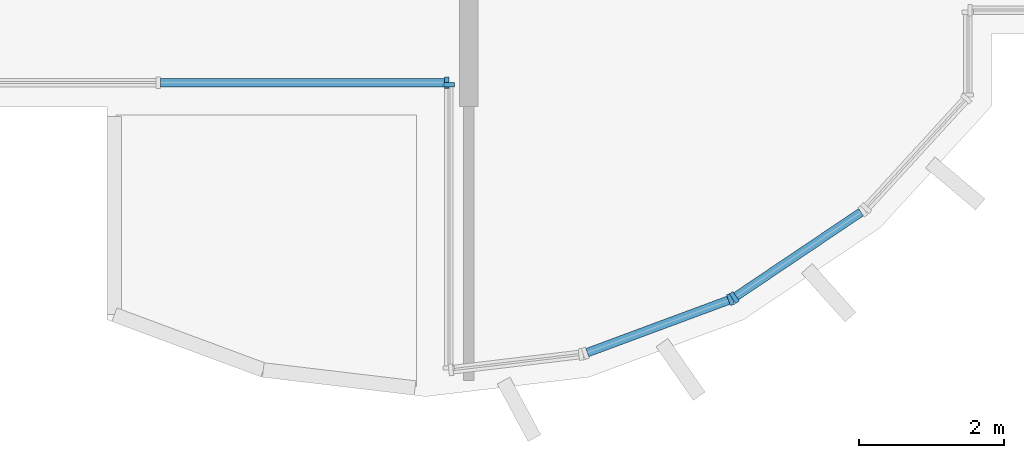
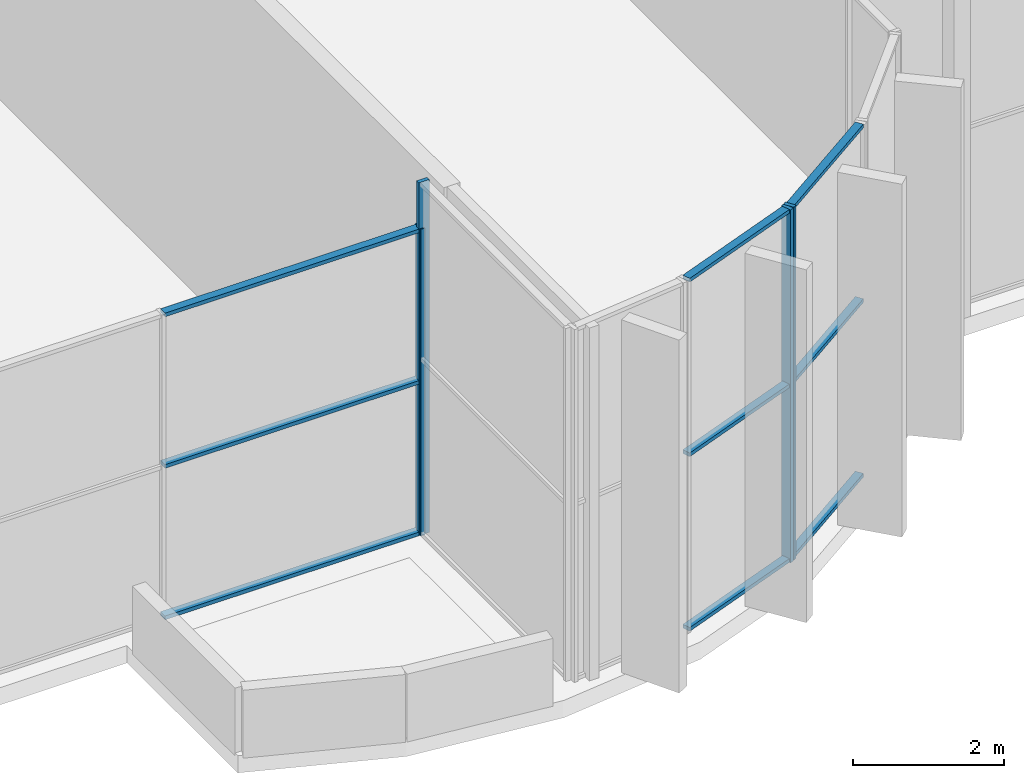
# One storey, part 2 of 17: 13 members, 4 elements without a shape of their own.
"""IFC4 building model written with IfcOpenShell, lengths in metres."""

import ifcopenshell
import ifcopenshell.guid

model = None  # the IFC model being written
_history = None  # IfcOwnerHistory: only IFC2X3 demands one
_inside = {}  # id of a spatial element -> (the spatial element, [elements in it])
_under = {}  # id of a project, library or spatial element -> (it, [spatial elements below it])
_declared = {}  # id of a project -> (the project, [libraries it declares])
_typed = {}  # id of a type object -> (the type object, [elements of that type])
_made_of = {}  # id of a material, layer set ... -> (it, [elements and type objects made of it])


def new_model(schema):
    """Start an empty IFC model of exactly this schema.

    Asked for "IFC4X3", IfcOpenShell would pick the latest addendum, in which some entities
    have other attributes; the version numbers below select the first issue.
    IFC2X3 requires an IfcOwnerHistory on every rooted entity: one is made here for all.
    """
    global model, _history
    if schema == "IFC4X3":
        model = ifcopenshell.file(schema_version=(4, 3, 0, 0))
    else:
        model = ifcopenshell.file(schema=schema)
    _inside.clear()
    _under.clear()
    _declared.clear()
    _typed.clear()
    _made_of.clear()
    _history = None
    if model.schema == "IFC2X3":
        org = make("IfcOrganization", Name="unknown")
        user = make(
            "IfcPersonAndOrganization",
            ThePerson=make("IfcPerson", FamilyName="unknown"),
            TheOrganization=org,
        )
        app = make(
            "IfcApplication",
            ApplicationDeveloper=org,
            Version="unknown",
            ApplicationFullName="unknown",
            ApplicationIdentifier="unknown",
        )
        _history = make(
            "IfcOwnerHistory",
            OwningUser=user,
            OwningApplication=app,
            ChangeAction="ADDED",
            CreationDate=0,
        )
    return model


def make(cls, **values):
    """One entity of the class cls with the attributes given. An attribute that is None is left unset."""
    return model.create_entity(
        cls, **{name: value for name, value in values.items() if value is not None}
    )


def rooted(cls, **values):
    """An entity with a GlobalId (a new one), such as an element, a storey or a relation."""
    return make(cls, GlobalId=ifcopenshell.guid.new(), OwnerHistory=_history, **values)


def si_unit(unit_type, name, prefix=None):
    """IfcSIUnit, for example si_unit("LENGTHUNIT", "METRE", prefix="MILLI")."""
    return make("IfcSIUnit", UnitType=unit_type, Prefix=prefix, Name=name)


def assignment(units):
    """IfcUnitAssignment: the units of a project."""
    return None if units is None else make("IfcUnitAssignment", Units=units)


def point(xyz):
    """IfcCartesianPoint."""
    return None if xyz is None else make("IfcCartesianPoint", Coordinates=xyz)


def direction(xyz):
    """IfcDirection."""
    return None if xyz is None else make("IfcDirection", DirectionRatios=xyz)


def frame(location, z_axis=None, x_axis=None):
    """IfcAxis2Placement3D, a coordinate frame: its origin and axes. An axis left out is left unset."""
    return make(
        "IfcAxis2Placement3D",
        Location=point(location),
        Axis=direction(z_axis),
        RefDirection=direction(x_axis),
    )


def frame_2d(location, x_axis=None):
    """IfcAxis2Placement2D, a coordinate frame in the plane: its origin and x axis."""
    return make(
        "IfcAxis2Placement2D", Location=point(location), RefDirection=direction(x_axis)
    )


def origin():
    """The frame at (0, 0, 0) with its axes left unset."""
    return frame((0.0, 0.0, 0.0))


def origin_2d():
    """The frame at (0, 0) in the plane with its x axis left unset."""
    return frame_2d((0.0, 0.0))


def place(relative_to, where):
    """IfcLocalPlacement: puts the frame where relative to a parent placement (None: the world)."""
    return make(
        "IfcLocalPlacement", PlacementRelTo=relative_to, RelativePlacement=where
    )


def context(
    kind, dimensions, precision=None, world=None, true_north=None, identifier=None
):
    """IfcGeometricRepresentationContext, for example the 3D "Model" context."""
    return make(
        "IfcGeometricRepresentationContext",
        ContextIdentifier=identifier,
        ContextType=kind,
        CoordinateSpaceDimension=dimensions,
        Precision=precision,
        WorldCoordinateSystem=world,
        TrueNorth=true_north,
    )


def subcontext(parent, identifier, kind, view, scale=None):
    """IfcGeometricRepresentationSubContext, for example "Body" below "Model"."""
    return make(
        "IfcGeometricRepresentationSubContext",
        ContextIdentifier=identifier,
        ContextType=kind,
        ParentContext=parent,
        TargetScale=scale,
        TargetView=view,
    )


def project(units=None, contexts=None):
    """IfcProject with its units and contexts."""
    return rooted(
        "IfcProject",
        Name="project",
        RepresentationContexts=contexts,
        UnitsInContext=assignment(units),
    )


def spatial(cls, under=None, at=None, **own):
    """A site, building, storey or space (cls), placed at a placement, below another one or the project."""
    s = rooted(cls, ObjectPlacement=at, **own)
    if under is not None:
        _under.setdefault(under.id(), (under, []))[1].append(s)
    return s


def profile(cls, at=None, kind="AREA", **sizes):
    """A parametric profile (cls). Its sizes go by their IFC names, for example OverallWidth=200.0."""
    return make(cls, ProfileType=kind, Position=at, **sizes)


def rectangle(**sizes):
    """IfcRectangleProfileDef."""
    return profile("IfcRectangleProfileDef", **sizes)


def extrude(swept, where, along, depth):
    """IfcExtrudedAreaSolid: the profile swept, set in the frame where, extruded along a direction by depth."""
    return make(
        "IfcExtrudedAreaSolid",
        SweptArea=swept,
        Position=where,
        ExtrudedDirection=direction(along),
        Depth=depth,
    )


def shape(context_of_items, identifier, shape_type, items):
    """IfcShapeRepresentation: the items that make up one representation, for example the "Body"."""
    return make(
        "IfcShapeRepresentation",
        ContextOfItems=context_of_items,
        RepresentationIdentifier=identifier,
        RepresentationType=shape_type,
        Items=items,
    )


def source(mapping_origin, context_of_items, identifier, shape_type, items):
    """IfcRepresentationMap: a shape defined once, which mapped items show again and again."""
    return make(
        "IfcRepresentationMap",
        MappingOrigin=mapping_origin,
        MappedRepresentation=shape(context_of_items, identifier, shape_type, items),
    )


def transform(
    local_origin,
    x_axis=None,
    y_axis=None,
    z_axis=None,
    scale=None,
    scale2=None,
    scale3=None,
    uniform=True,
):
    """IfcCartesianTransformationOperator3D, or its non-uniform kind. x_axis, y_axis, z_axis: its Axis1, 2, 3."""
    if uniform:
        return make(
            "IfcCartesianTransformationOperator3D",
            Axis1=direction(x_axis),
            Axis2=direction(y_axis),
            LocalOrigin=point(local_origin),
            Scale=scale,
            Axis3=direction(z_axis),
        )
    return make(
        "IfcCartesianTransformationOperator3DnonUniform",
        Axis1=direction(x_axis),
        Axis2=direction(y_axis),
        LocalOrigin=point(local_origin),
        Scale=scale,
        Axis3=direction(z_axis),
        Scale2=scale2,
        Scale3=scale3,
    )


def mapped(mapping_source, mapping_target):
    """IfcMappedItem: shows the shape of a source again, moved by a transform."""
    return make(
        "IfcMappedItem", MappingSource=mapping_source, MappingTarget=mapping_target
    )


def material(Name=None, Category=None):
    """IfcMaterial."""
    return make("IfcMaterial", Name=Name, Category=Category)


def material_profile(
    of_material, cross_section, Name=None, Category=None, Priority=None
):
    """IfcMaterialProfile: a cross section and its material."""
    return make(
        "IfcMaterialProfile",
        Name=Name,
        Material=of_material,
        Profile=cross_section,
        Priority=Priority,
        Category=Category,
    )


def profile_set(profiles, Name=None, composite=None):
    """IfcMaterialProfileSet."""
    return make(
        "IfcMaterialProfileSet",
        Name=Name,
        MaterialProfiles=profiles,
        CompositeProfile=composite,
    )


def made_of(thing, what):
    """Note that an element or type object is made of a material, layer set ...; save() writes the relation."""
    if what is not None:
        _made_of.setdefault(what.id(), (what, []))[1].append(thing)
    return thing


def type_object(cls, material=None, **own):
    """A type object (cls), such as IfcWallType, which elements share."""
    return made_of(rooted(cls, **own), material)


def element(
    cls,
    number,
    at=None,
    inside=None,
    cuts=None,
    type_object=None,
    material=None,
    context=None,
    identifier="Body",
    shape_type=None,
    held_by="IfcProductDefinitionShape",
    body=None,
    shapes=None,
    **own,
):
    """One element of the class cls, such as IfcWall. Its Tag is "e" and its number.

    at: its placement. inside: the storey or other place that contains it. cuts: it is an
    opening in that element (IfcRelVoidsElement). A single representation is given by context,
    identifier, shape_type and body (its items); several are given by shapes. held_by: the class
    of the entity that holds the representations. save() writes the other relations.
    """
    e = rooted(cls, Tag="e%d" % number, ObjectPlacement=at, **own)
    if body is not None:
        shapes = [shape(context, identifier, shape_type, body)]
    if shapes is not None:
        e.Representation = make(held_by, Representations=shapes)
    if inside is not None:
        _inside.setdefault(inside.id(), (inside, []))[1].append(e)
    if cuts is not None:
        rooted(
            "IfcRelVoidsElement", RelatingBuildingElement=cuts, RelatedOpeningElement=e
        )
    if type_object is not None:
        _typed.setdefault(type_object.id(), (type_object, []))[1].append(e)
    return made_of(e, material)


def aggregate(whole, parts):
    """IfcRelAggregates: a whole, such as a stair, and the parts it consists of."""
    return rooted("IfcRelAggregates", RelatingObject=whole, RelatedObjects=parts)


def save(model, path):
    """Write the relations noted so far, then the file.

    IfcRelAggregates (storeys below a building ...), IfcRelContainedInSpatialStructure (elements
    in a storey), IfcRelDefinesByType, IfcRelAssociatesMaterial and IfcRelDeclares: one each for
    every whole, place, type object, material and project.
    """
    for whole, parts in _under.values():
        aggregate(whole, parts)
    for where, things in _inside.values():
        rooted(
            "IfcRelContainedInSpatialStructure",
            RelatedElements=things,
            RelatingStructure=where,
        )
    for kind, things in _typed.values():
        rooted("IfcRelDefinesByType", RelatedObjects=things, RelatingType=kind)
    for what, things in _made_of.values():
        rooted("IfcRelAssociatesMaterial", RelatedObjects=things, RelatingMaterial=what)
    for by, libraries in _declared.values():
        rooted("IfcRelDeclares", RelatingContext=by, RelatedDefinitions=libraries)
    model.write(path)


model = new_model("IFC4")

# Units and contexts
model_context = context("Model", 3, precision=1e-05, world=origin(), true_north=direction((0.0, 1.0)))
body_context = subcontext(model_context, "Body", "Model", "MODEL_VIEW")
ifc_project = project(units=[si_unit("LENGTHUNIT", "METRE"), si_unit("AREAUNIT", "SQUARE_METRE"), si_unit("VOLUMEUNIT", "CUBIC_METRE"), si_unit("PLANEANGLEUNIT", "RADIAN"), si_unit("MASSUNIT", "GRAM", prefix="KILO")], contexts=[model_context])

# Site, building, storey
site_placement = place(None, origin())
site = spatial("IfcSite", under=ifc_project, at=site_placement, CompositionType="ELEMENT")
building_placement = place(site_placement, origin())
building = spatial("IfcBuilding", under=site, at=building_placement, Name="Vanashikhar Sky Hotel", CompositionType="ELEMENT")
storey_placement = place(building_placement, frame((0.0, 0.0, 323.699951171875)))
storey = spatial("IfcBuildingStorey", under=building, at=storey_placement, Name="L77", CompositionType="ELEMENT", Elevation=323.699951171875)

# Curtain wall, members
ifc_material_1 = material(Name="Glass", Category="glass")
curtain_wall_type = type_object("IfcCurtainWallType", Name="Sky restaurant glazing", PredefinedType="NOTDEFINED", material=ifc_material_1)
curtain_wall_1_placement = place(storey_placement, origin())
curtain_wall_1 = element("IfcCurtainWall", 1, at=curtain_wall_1_placement, inside=storey, type_object=curtain_wall_type, Name="Sky restaurant glazing", PredefinedType="NOTDEFINED")
ifc_material_2 = material(Name="Aluminium 6063-T6", Category="aluminium")
ifc_material_profile_1 = material_profile(ifc_material_2, rectangle(XDim=0.159912109375, YDim=0.06005859375, at=origin_2d()))
ifc_profile_set_1 = profile_set([ifc_material_profile_1], Name="Aluminium 6063-T6")
member_type_1 = type_object("IfcMemberType", Name="Sky restaurant mullion 60 x 160", PredefinedType="MULLION", material=ifc_profile_set_1)
shared_shape_1 = source(origin(), body_context, "Body", "SweptSolid", [
    extrude(rectangle(XDim=0.159912109375, YDim=0.06005859375, at=origin_2d()), origin(), (0.0, 0.0, 1.0), 4.969970703125),
])
member_1_placement = place(storey_placement, frame((41.695068359375, 5.824951171875, 0.0), z_axis=(0.0, 0.0, 1.0), x_axis=(0.0, 1.0, 0.0)))
member_1 = element("IfcMember", 2, at=member_1_placement, type_object=member_type_1, Name="CW-5 mullion 3", PredefinedType="MULLION", context=body_context, shape_type="MappedRepresentation", body=[
    mapped(shared_shape_1, transform((0.0, 0.0, 0.0), scale=1.0)),
])
ifc_material_profile_2 = material_profile(ifc_material_2, rectangle(XDim=0.1201171875, YDim=0.06005859375, at=origin_2d()))
ifc_profile_set_2 = profile_set([ifc_material_profile_2], Name="Aluminium 6063-T6")
member_type_2 = type_object("IfcMemberType", Name="Sky restaurant transom 60 x 120", PredefinedType="USERDEFINED", material=ifc_profile_set_2)
shared_shape_2 = source(origin(), body_context, "Body", "SweptSolid", [
    extrude(rectangle(XDim=0.1201171875, YDim=0.06005859375, at=origin_2d()), origin(), (0.0, 0.0, 1.0), 3.91015625),
])
member_2_placement = place(storey_placement, frame((37.7548828125, 5.824951171875, 0.030029296875), z_axis=(1.0, 0.0, 0.0), x_axis=(0.0, 1.0, 0.0)))
member_2 = element("IfcMember", 3, at=member_2_placement, type_object=member_type_2, Name="CW-5 transom 2.1", ObjectType="TRANSOM", PredefinedType="USERDEFINED", context=body_context, shape_type="MappedRepresentation", body=[
    mapped(shared_shape_2, transform((0.0, 0.0, 0.0), scale=1.0)),
])
member_3_placement = place(storey_placement, frame((37.7548828125, 5.824951171875, 2.485107421875), z_axis=(1.0, 0.0, 0.0), x_axis=(0.0, 1.0, 0.0)))
member_3 = element("IfcMember", 4, at=member_3_placement, type_object=member_type_2, Name="CW-5 transom 2.2", ObjectType="TRANSOM", PredefinedType="USERDEFINED", context=body_context, shape_type="MappedRepresentation", body=[
    mapped(shared_shape_2, transform((0.0, 0.0, 0.0), scale=1.0)),
])
member_4_placement = place(storey_placement, frame((37.7548828125, 5.824951171875, 4.93994140625), z_axis=(1.0, 0.0, 0.0), x_axis=(0.0, 1.0, 0.0)))
member_4 = element("IfcMember", 5, at=member_4_placement, type_object=member_type_2, Name="CW-5 transom 2.3", ObjectType="TRANSOM", PredefinedType="USERDEFINED", context=body_context, shape_type="MappedRepresentation", body=[
    mapped(shared_shape_2, transform((0.0, 0.0, 0.0), scale=1.0)),
])
aggregate(curtain_wall_1, [member_1, member_2, member_3, member_4])

# Curtain wall, member
curtain_wall_2_placement = place(storey_placement, origin())
curtain_wall_2 = element("IfcCurtainWall", 6, at=curtain_wall_2_placement, inside=storey, type_object=curtain_wall_type, Name="Sky restaurant glazing", PredefinedType="NOTDEFINED")
shared_shape_3 = source(origin(), body_context, "Body", "SweptSolid", [
    extrude(rectangle(XDim=0.159912109375, YDim=0.06005859375, at=origin_2d()), origin(), (0.0, 0.0, 1.0), 5.719970703125),
])
member_5_placement = place(storey_placement, frame((41.72509765625, 5.794921875, 0.0), z_axis=(0.0, 0.0, 1.0), x_axis=(1.0, 0.0, 0.0)))
member_5 = element("IfcMember", 7, at=member_5_placement, type_object=member_type_1, Name="CW-5 mullion 1", PredefinedType="MULLION", context=body_context, shape_type="MappedRepresentation", body=[
    mapped(shared_shape_3, transform((0.0, 0.0, 0.0), scale=1.0)),
])
aggregate(curtain_wall_2, [member_5])

curtain_wall_3_placement = place(storey_placement, origin())
curtain_wall_3 = element("IfcCurtainWall", 8, at=curtain_wall_3_placement, inside=storey, type_object=curtain_wall_type, Name="Sky restaurant glazing", PredefinedType="NOTDEFINED")
member_6_placement = place(storey_placement, frame((45.60546875, 2.8388671875, 0.0), z_axis=(0.0, 0.0, 1.0), x_axis=(-0.347863704919, 0.937545115075, 0.0)))
member_6 = element("IfcMember", 9, at=member_6_placement, type_object=member_type_1, Name="CW-5 mullion 2", PredefinedType="MULLION", context=body_context, shape_type="MappedRepresentation", body=[
    mapped(shared_shape_3, transform((0.0, 0.0, 0.0), scale=1.0)),
])

curtain_wall_4_placement = place(storey_placement, origin())
curtain_wall_4 = element("IfcCurtainWall", 10, at=curtain_wall_4_placement, inside=storey, type_object=curtain_wall_type, Name="Sky restaurant glazing", PredefinedType="NOTDEFINED")
member_7_placement = place(storey_placement, frame((45.658447265625, 2.865966796875, 0.0), z_axis=(0.0, 0.0, 1.0), x_axis=(-0.558355854624, 0.829601554728, 0.0)))
member_7 = element("IfcMember", 11, at=member_7_placement, type_object=member_type_1, Name="CW-5 mullion 1", PredefinedType="MULLION", context=body_context, shape_type="MappedRepresentation", body=[
    mapped(shared_shape_3, transform((0.0, 0.0, 0.0), scale=1.0)),
])

# Member
shared_shape_4 = source(origin(), body_context, "Body", "SweptSolid", [
    extrude(rectangle(XDim=0.1201171875, YDim=0.06005859375, at=origin_2d()), origin(), (0.0, 0.0, 1.0), 2.0732421875),
])
member_8_placement = place(storey_placement, frame((43.633544921875, 2.107177734375, 0.030029296875), z_axis=(0.93755259244, 0.347843551629, 0.0), x_axis=(-0.347843551629, 0.93755259244, 0.0)))
member_8 = element("IfcMember", 12, at=member_8_placement, type_object=member_type_2, Name="CW-5 transom 1.1", ObjectType="TRANSOM", PredefinedType="USERDEFINED", context=body_context, shape_type="MappedRepresentation", body=[
    mapped(shared_shape_4, transform((0.0, 0.0, 0.0), scale=1.0)),
])

member_9_placement = place(storey_placement, frame((43.633544921875, 2.107177734375, 2.860107421875), z_axis=(0.93755259244, 0.347843551629, 0.0), x_axis=(-0.347843551629, 0.93755259244, 0.0)))
member_9 = element("IfcMember", 13, at=member_9_placement, type_object=member_type_2, Name="CW-5 transom 1.2", ObjectType="TRANSOM", PredefinedType="USERDEFINED", context=body_context, shape_type="MappedRepresentation", body=[
    mapped(shared_shape_4, transform((0.0, 0.0, 0.0), scale=1.0)),
])

member_10_placement = place(storey_placement, frame((43.633544921875, 2.107177734375, 5.68994140625), z_axis=(0.93755259244, 0.347843551629, 0.0), x_axis=(-0.347843551629, 0.93755259244, 0.0)))
member_10 = element("IfcMember", 14, at=member_10_placement, type_object=member_type_2, Name="CW-5 transom 1.3", ObjectType="TRANSOM", PredefinedType="USERDEFINED", context=body_context, shape_type="MappedRepresentation", body=[
    mapped(shared_shape_4, transform((0.0, 0.0, 0.0), scale=1.0)),
])

aggregate(curtain_wall_3, [member_6, member_8, member_9, member_10])

shared_shape_5 = source(origin(), body_context, "Body", "SweptSolid", [
    extrude(rectangle(XDim=0.1201171875, YDim=0.06005859375, at=origin_2d()), origin(), (0.0, 0.0, 1.0), 2.073486328125),
])
member_11_placement = place(storey_placement, frame((45.683349609375, 2.8828125, 0.030029296875), z_axis=(0.829615017144, 0.558335851731, 0.0), x_axis=(-0.558335851731, 0.829615017144, 0.0)))
member_11 = element("IfcMember", 15, at=member_11_placement, type_object=member_type_2, Name="CW-5 transom 1.1", ObjectType="TRANSOM", PredefinedType="USERDEFINED", context=body_context, shape_type="MappedRepresentation", body=[
    mapped(shared_shape_5, transform((0.0, 0.0, 0.0), scale=1.0)),
])

member_12_placement = place(storey_placement, frame((45.683349609375, 2.8828125, 2.860107421875), z_axis=(0.829615017144, 0.558335851731, 0.0), x_axis=(-0.558335851731, 0.829615017144, 0.0)))
member_12 = element("IfcMember", 16, at=member_12_placement, type_object=member_type_2, Name="CW-5 transom 1.2", ObjectType="TRANSOM", PredefinedType="USERDEFINED", context=body_context, shape_type="MappedRepresentation", body=[
    mapped(shared_shape_5, transform((0.0, 0.0, 0.0), scale=1.0)),
])

member_13_placement = place(storey_placement, frame((45.683349609375, 2.8828125, 5.68994140625), z_axis=(0.829615017144, 0.558335851731, 0.0), x_axis=(-0.558335851731, 0.829615017144, 0.0)))
member_13 = element("IfcMember", 17, at=member_13_placement, type_object=member_type_2, Name="CW-5 transom 1.3", ObjectType="TRANSOM", PredefinedType="USERDEFINED", context=body_context, shape_type="MappedRepresentation", body=[
    mapped(shared_shape_5, transform((0.0, 0.0, 0.0), scale=1.0)),
])

aggregate(curtain_wall_4, [member_7, member_11, member_12, member_13])

save(model, "model.ifc")
